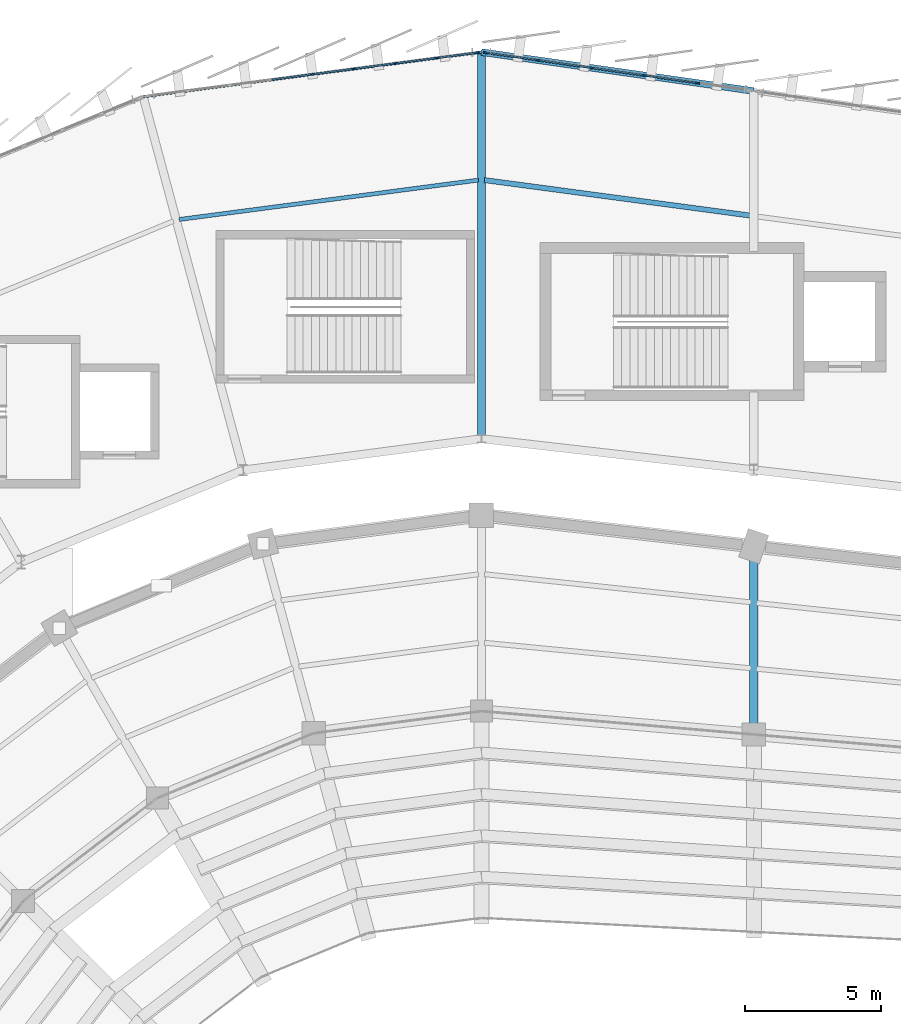
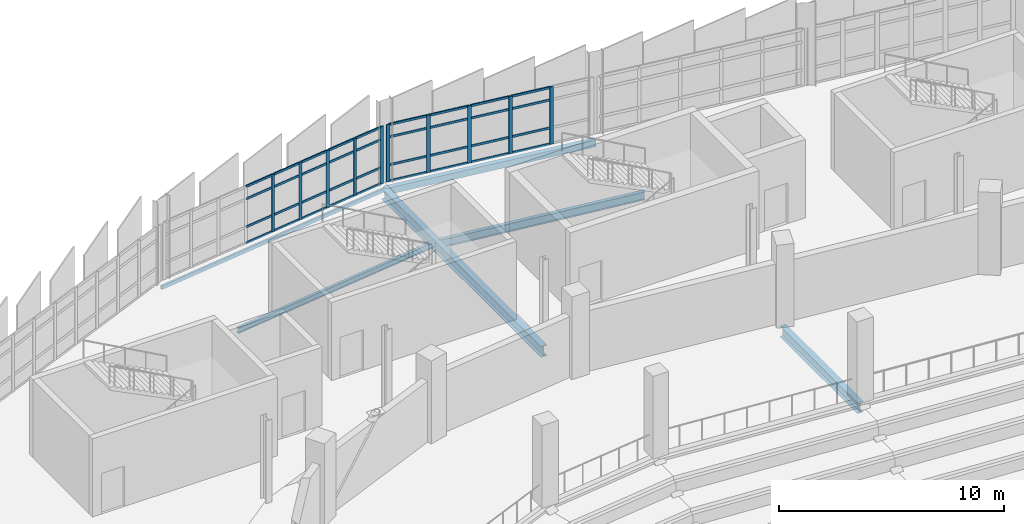
# One storey, part 57 of 134: 46 members, 6 beams, 2 elements without a shape of their own.
"""IFC4 building model written with IfcOpenShell, lengths in metres."""

from ifc_helpers import new_model, si_unit, direction, frame, origin, origin_2d, place, context, subcontext, project, spatial, rectangle, hollow_rectangle, i_section, extrude, material, layer, layer_set, material_profile, profile_set, type_object, element, aggregate, save


model = new_model("IFC4")

# Units and contexts
model_context = context("Model", 3, precision=1e-05, world=origin(), true_north=direction((0.0, 1.0)))
body_context = subcontext(model_context, "Body", "Model", "MODEL_VIEW")
ifc_project = project(units=[si_unit("LENGTHUNIT", "METRE"), si_unit("AREAUNIT", "SQUARE_METRE"), si_unit("VOLUMEUNIT", "CUBIC_METRE"), si_unit("PLANEANGLEUNIT", "RADIAN"), si_unit("MASSUNIT", "GRAM", prefix="KILO")], contexts=[model_context])

# Site, building, storey
site_placement = place(None, origin())
site = spatial("IfcSite", under=ifc_project, at=site_placement, CompositionType="ELEMENT")
building_placement = place(site_placement, origin())
building = spatial("IfcBuilding", under=site, at=building_placement, Name="Sohan Crest Arena", CompositionType="ELEMENT")
storey_placement = place(building_placement, frame((0.0, 0.0, 4.5)))
storey = spatial("IfcBuildingStorey", under=building, at=storey_placement, Name="L01", CompositionType="ELEMENT", Elevation=4.5)

# Curtain wall, members
ifc_material_1 = material(Name="Thermally broken anodised aluminium", Category="aluminium")
ifc_layer_1 = layer(ifc_material_1, 0.179931640625, Name="Thermally broken anodised aluminium")
ifc_layer_set_1 = layer_set([ifc_layer_1], Name="Thermally broken anodised aluminium")
curtain_wall_type_1 = type_object("IfcCurtainWallType", Name="ARC-CW01", PredefinedType="NOTDEFINED", material=ifc_layer_set_1)
curtain_wall_1_placement = place(storey_placement, origin())
curtain_wall_1 = element("IfcCurtainWall", 1, at=curtain_wall_1_placement, inside=storey, type_object=curtain_wall_type_1, Name="Unitised curtain wall CW-020", PredefinedType="NOTDEFINED")
ifc_material_profile_1 = material_profile(ifc_material_1, rectangle(XDim=0.06005859375, YDim=0.159912109375, at=origin_2d()), Name="ALU-MULL 60x160")
ifc_profile_set_1 = profile_set([ifc_material_profile_1], Name="Thermally broken anodised aluminium")
member_type_1 = type_object("IfcMemberType", Name="ARC-CW-ML01", PredefinedType="MULLION", material=ifc_profile_set_1)
member_1_placement = place(storey_placement, frame((97.84130859375, 125.97900390625, 0.0), z_axis=(0.0, 0.0, 1.0), x_axis=(0.130562031094, -0.991440142438, 0.0)))
member_1 = element("IfcMember", 2, at=member_1_placement, type_object=member_type_1, Name="CW-020 mullion 1", PredefinedType="MULLION", context=body_context, shape_type="SweptSolid", body=[
    extrude(rectangle(XDim=0.06005859375, YDim=0.159912109375, at=origin_2d()), origin(), (0.0, 0.0, 1.0), 3.1201171875),
])
member_2_placement = place(storey_placement, frame((96.350341796875, 125.78271484375, 0.0), z_axis=(0.0, 0.0, 1.0), x_axis=(0.130562031094, -0.991440142438, 0.0)))
member_2 = element("IfcMember", 3, at=member_2_placement, type_object=member_type_1, Name="CW-020 mullion 2", PredefinedType="MULLION", context=body_context, shape_type="SweptSolid", body=[
    extrude(rectangle(XDim=0.06005859375, YDim=0.159912109375, at=origin_2d()), origin(), (0.0, 0.0, 1.0), 3.1201171875),
])
member_3_placement = place(storey_placement, frame((94.829833984375, 125.58251953125, 0.0), z_axis=(0.0, 0.0, 1.0), x_axis=(0.130562031094, -0.991440142438, 0.0)))
member_3 = element("IfcMember", 4, at=member_3_placement, type_object=member_type_1, Name="CW-020 mullion 3", PredefinedType="MULLION", context=body_context, shape_type="SweptSolid", body=[
    extrude(rectangle(XDim=0.06005859375, YDim=0.159912109375, at=origin_2d()), origin(), (0.0, 0.0, 1.0), 3.1201171875),
])
member_4_placement = place(storey_placement, frame((93.30908203125, 125.38232421875, 0.0), z_axis=(0.0, 0.0, 1.0), x_axis=(0.130562031094, -0.991440142438, 0.0)))
member_4 = element("IfcMember", 5, at=member_4_placement, type_object=member_type_1, Name="CW-020 mullion 4", PredefinedType="MULLION", context=body_context, shape_type="SweptSolid", body=[
    extrude(rectangle(XDim=0.06005859375, YDim=0.159912109375, at=origin_2d()), origin(), (0.0, 0.0, 1.0), 3.1201171875),
])
member_5_placement = place(storey_placement, frame((91.78857421875, 125.181884765625, 0.0), z_axis=(0.0, 0.0, 1.0), x_axis=(0.130562031094, -0.991440142438, 0.0)))
member_5 = element("IfcMember", 6, at=member_5_placement, type_object=member_type_1, Name="CW-020 mullion 5", PredefinedType="MULLION", context=body_context, shape_type="SweptSolid", body=[
    extrude(rectangle(XDim=0.06005859375, YDim=0.159912109375, at=origin_2d()), origin(), (0.0, 0.0, 1.0), 3.1201171875),
])

ifc_layer_2 = layer(ifc_material_1, 0.239990234375, Name="Thermally broken anodised aluminium")
ifc_layer_set_2 = layer_set([ifc_layer_2], Name="Thermally broken anodised aluminium")
curtain_wall_type_2 = type_object("IfcCurtainWallType", Name="ARC-CW04", PredefinedType="NOTDEFINED", material=ifc_layer_set_2)
curtain_wall_2_placement = place(storey_placement, origin())
curtain_wall_2 = element("IfcCurtainWall", 7, at=curtain_wall_2_placement, inside=storey, type_object=curtain_wall_type_2, Name="Unitised curtain wall CW-049", PredefinedType="NOTDEFINED")
ifc_material_profile_2 = material_profile(ifc_material_1, rectangle(XDim=0.06494140625, YDim=0.179931640625, at=origin_2d()), Name="ALU-MULL 65x180")
ifc_profile_set_2 = profile_set([ifc_material_profile_2], Name="Thermally broken anodised aluminium")
member_type_2 = type_object("IfcMemberType", Name="ARC-CW-ML02", PredefinedType="MULLION", material=ifc_profile_set_2)
member_6_placement = place(storey_placement, frame((105.922607421875, 124.86767578125, 0.0), z_axis=(0.0, 0.0, 1.0), x_axis=(-0.141549389674, -0.989931194722, 0.0)))
member_6 = element("IfcMember", 8, at=member_6_placement, type_object=member_type_2, Name="CW-049 mullion 2", PredefinedType="MULLION", context=body_context, shape_type="SweptSolid", body=[
    extrude(rectangle(XDim=0.06494140625, YDim=0.179931640625, at=origin_2d()), origin(), (0.0, 0.0, 1.0), 3.1201171875),
])
member_7_placement = place(storey_placement, frame((103.97412109375, 125.146240234375, 0.0), z_axis=(0.0, 0.0, 1.0), x_axis=(-0.141549389674, -0.989931194722, 0.0)))
member_7 = element("IfcMember", 9, at=member_7_placement, type_object=member_type_2, Name="CW-049 mullion 3", PredefinedType="MULLION", context=body_context, shape_type="SweptSolid", body=[
    extrude(rectangle(XDim=0.06494140625, YDim=0.179931640625, at=origin_2d()), origin(), (0.0, 0.0, 1.0), 3.1201171875),
])
member_8_placement = place(storey_placement, frame((102.02587890625, 125.4248046875, 0.0), z_axis=(0.0, 0.0, 1.0), x_axis=(-0.141549389674, -0.989931194722, 0.0)))
member_8 = element("IfcMember", 10, at=member_8_placement, type_object=member_type_2, Name="CW-049 mullion 4", PredefinedType="MULLION", context=body_context, shape_type="SweptSolid", body=[
    extrude(rectangle(XDim=0.06494140625, YDim=0.179931640625, at=origin_2d()), origin(), (0.0, 0.0, 1.0), 3.1201171875),
])
member_9_placement = place(storey_placement, frame((100.077392578125, 125.703369140625, 0.0), z_axis=(0.0, 0.0, 1.0), x_axis=(-0.141549389674, -0.989931194722, 0.0)))
member_9 = element("IfcMember", 11, at=member_9_placement, type_object=member_type_2, Name="CW-049 mullion 5", PredefinedType="MULLION", context=body_context, shape_type="SweptSolid", body=[
    extrude(rectangle(XDim=0.06494140625, YDim=0.179931640625, at=origin_2d()), origin(), (0.0, 0.0, 1.0), 3.1201171875),
])
member_10_placement = place(storey_placement, frame((98.1611328125, 125.977294921875, 0.0), z_axis=(0.0, 0.0, 1.0), x_axis=(-0.141549389674, -0.989931194722, 0.0)))
member_10 = element("IfcMember", 12, at=member_10_placement, type_object=member_type_2, Name="CW-049 mullion 6", PredefinedType="MULLION", context=body_context, shape_type="SweptSolid", body=[
    extrude(rectangle(XDim=0.06494140625, YDim=0.179931640625, at=origin_2d()), origin(), (0.0, 0.0, 1.0), 3.1201171875),
])

# Member
ifc_material_profile_3 = material_profile(ifc_material_1, rectangle(XDim=0.06005859375, YDim=0.1201171875, at=origin_2d()), Name="ALU-TRAN 60x120")
ifc_profile_set_3 = profile_set([ifc_material_profile_3], Name="Thermally broken anodised aluminium")
member_type_3 = type_object("IfcMemberType", Name="ARC-CW-TR01", PredefinedType="USERDEFINED", material=ifc_profile_set_3)
member_11_placement = place(storey_placement, frame((97.8115234375, 125.97509765625, 0.030029296875), z_axis=(-0.991442204385, -0.130546372469, 0.0), x_axis=(0.130546372469, -0.991442204385, 0.0)))
member_11 = element("IfcMember", 13, at=member_11_placement, type_object=member_type_3, Name="CW-020 transom 1.1", ObjectType="TRANSOM", PredefinedType="USERDEFINED", context=body_context, shape_type="SweptSolid", body=[
    extrude(rectangle(XDim=0.06005859375, YDim=0.1201171875, at=origin_2d()), origin(), (0.0, 0.0, 1.0), 1.44384765625),
])

member_12_placement = place(storey_placement, frame((97.8115234375, 125.97509765625, 0.89990234375), z_axis=(-0.991442204385, -0.130546372469, 0.0), x_axis=(0.130546372469, -0.991442204385, 0.0)))
member_12 = element("IfcMember", 14, at=member_12_placement, type_object=member_type_3, Name="CW-020 transom 1.2", ObjectType="TRANSOM", PredefinedType="USERDEFINED", context=body_context, shape_type="SweptSolid", body=[
    extrude(rectangle(XDim=0.06005859375, YDim=0.1201171875, at=origin_2d()), origin(), (0.0, 0.0, 1.0), 1.44384765625),
])

member_13_placement = place(storey_placement, frame((97.8115234375, 125.97509765625, 2.419921875), z_axis=(-0.991442204385, -0.130546372469, 0.0), x_axis=(0.130546372469, -0.991442204385, 0.0)))
member_13 = element("IfcMember", 15, at=member_13_placement, type_object=member_type_3, Name="CW-020 transom 1.3", ObjectType="TRANSOM", PredefinedType="USERDEFINED", context=body_context, shape_type="SweptSolid", body=[
    extrude(rectangle(XDim=0.06005859375, YDim=0.1201171875, at=origin_2d()), origin(), (0.0, 0.0, 1.0), 1.44384765625),
])

member_14_placement = place(storey_placement, frame((97.8115234375, 125.97509765625, 3.090087890625), z_axis=(-0.991442204385, -0.130546372469, 0.0), x_axis=(0.130546372469, -0.991442204385, 0.0)))
member_14 = element("IfcMember", 16, at=member_14_placement, type_object=member_type_3, Name="CW-020 transom 1.4", ObjectType="TRANSOM", PredefinedType="USERDEFINED", context=body_context, shape_type="SweptSolid", body=[
    extrude(rectangle(XDim=0.06005859375, YDim=0.1201171875, at=origin_2d()), origin(), (0.0, 0.0, 1.0), 1.44384765625),
])

member_15_placement = place(storey_placement, frame((96.320556640625, 125.77880859375, 0.030029296875), z_axis=(-0.991443579334, -0.130535929911, 0.0), x_axis=(0.130535929911, -0.991443579334, 0.0)))
member_15 = element("IfcMember", 17, at=member_15_placement, type_object=member_type_3, Name="CW-020 transom 2.1", ObjectType="TRANSOM", PredefinedType="USERDEFINED", context=body_context, shape_type="SweptSolid", body=[
    extrude(rectangle(XDim=0.06005859375, YDim=0.1201171875, at=origin_2d()), origin(), (0.0, 0.0, 1.0), 1.473876953125),
])

member_16_placement = place(storey_placement, frame((96.320556640625, 125.77880859375, 0.89990234375), z_axis=(-0.991443579334, -0.130535929911, 0.0), x_axis=(0.130535929911, -0.991443579334, 0.0)))
member_16 = element("IfcMember", 18, at=member_16_placement, type_object=member_type_3, Name="CW-020 transom 2.2", ObjectType="TRANSOM", PredefinedType="USERDEFINED", context=body_context, shape_type="SweptSolid", body=[
    extrude(rectangle(XDim=0.06005859375, YDim=0.1201171875, at=origin_2d()), origin(), (0.0, 0.0, 1.0), 1.473876953125),
])

member_17_placement = place(storey_placement, frame((96.320556640625, 125.77880859375, 2.419921875), z_axis=(-0.991443579334, -0.130535929911, 0.0), x_axis=(0.130535929911, -0.991443579334, 0.0)))
member_17 = element("IfcMember", 19, at=member_17_placement, type_object=member_type_3, Name="CW-020 transom 2.3", ObjectType="TRANSOM", PredefinedType="USERDEFINED", context=body_context, shape_type="SweptSolid", body=[
    extrude(rectangle(XDim=0.06005859375, YDim=0.1201171875, at=origin_2d()), origin(), (0.0, 0.0, 1.0), 1.473876953125),
])

member_18_placement = place(storey_placement, frame((96.320556640625, 125.77880859375, 3.090087890625), z_axis=(-0.991443579334, -0.130535929911, 0.0), x_axis=(0.130535929911, -0.991443579334, 0.0)))
member_18 = element("IfcMember", 20, at=member_18_placement, type_object=member_type_3, Name="CW-020 transom 2.4", ObjectType="TRANSOM", PredefinedType="USERDEFINED", context=body_context, shape_type="SweptSolid", body=[
    extrude(rectangle(XDim=0.06005859375, YDim=0.1201171875, at=origin_2d()), origin(), (0.0, 0.0, 1.0), 1.473876953125),
])

member_19_placement = place(storey_placement, frame((94.800048828125, 125.57861328125, 0.030029296875), z_axis=(-0.991443579334, -0.130535929911, 0.0), x_axis=(0.130535929911, -0.991443579334, 0.0)))
member_19 = element("IfcMember", 21, at=member_19_placement, type_object=member_type_3, Name="CW-020 transom 3.1", ObjectType="TRANSOM", PredefinedType="USERDEFINED", context=body_context, shape_type="SweptSolid", body=[
    extrude(rectangle(XDim=0.06005859375, YDim=0.1201171875, at=origin_2d()), origin(), (0.0, 0.0, 1.0), 1.473876953125),
])

member_20_placement = place(storey_placement, frame((94.800048828125, 125.57861328125, 0.89990234375), z_axis=(-0.991443579334, -0.130535929911, 0.0), x_axis=(0.130535929911, -0.991443579334, 0.0)))
member_20 = element("IfcMember", 22, at=member_20_placement, type_object=member_type_3, Name="CW-020 transom 3.2", ObjectType="TRANSOM", PredefinedType="USERDEFINED", context=body_context, shape_type="SweptSolid", body=[
    extrude(rectangle(XDim=0.06005859375, YDim=0.1201171875, at=origin_2d()), origin(), (0.0, 0.0, 1.0), 1.473876953125),
])

member_21_placement = place(storey_placement, frame((94.800048828125, 125.57861328125, 2.419921875), z_axis=(-0.991443579334, -0.130535929911, 0.0), x_axis=(0.130535929911, -0.991443579334, 0.0)))
member_21 = element("IfcMember", 23, at=member_21_placement, type_object=member_type_3, Name="CW-020 transom 3.3", ObjectType="TRANSOM", PredefinedType="USERDEFINED", context=body_context, shape_type="SweptSolid", body=[
    extrude(rectangle(XDim=0.06005859375, YDim=0.1201171875, at=origin_2d()), origin(), (0.0, 0.0, 1.0), 1.473876953125),
])

member_22_placement = place(storey_placement, frame((94.800048828125, 125.57861328125, 3.090087890625), z_axis=(-0.991443579334, -0.130535929911, 0.0), x_axis=(0.130535929911, -0.991443579334, 0.0)))
member_22 = element("IfcMember", 24, at=member_22_placement, type_object=member_type_3, Name="CW-020 transom 3.4", ObjectType="TRANSOM", PredefinedType="USERDEFINED", context=body_context, shape_type="SweptSolid", body=[
    extrude(rectangle(XDim=0.06005859375, YDim=0.1201171875, at=origin_2d()), origin(), (0.0, 0.0, 1.0), 1.473876953125),
])

member_23_placement = place(storey_placement, frame((93.279296875, 125.37841796875, 0.030029296875), z_axis=(-0.991440755943, -0.130557372273, 0.0), x_axis=(0.130557372273, -0.991440755943, 0.0)))
member_23 = element("IfcMember", 25, at=member_23_placement, type_object=member_type_3, Name="CW-020 transom 4.1", ObjectType="TRANSOM", PredefinedType="USERDEFINED", context=body_context, shape_type="SweptSolid", body=[
    extrude(rectangle(XDim=0.06005859375, YDim=0.1201171875, at=origin_2d()), origin(), (0.0, 0.0, 1.0), 1.4736328125),
])

member_24_placement = place(storey_placement, frame((93.279296875, 125.37841796875, 0.89990234375), z_axis=(-0.991440755943, -0.130557372273, 0.0), x_axis=(0.130557372273, -0.991440755943, 0.0)))
member_24 = element("IfcMember", 26, at=member_24_placement, type_object=member_type_3, Name="CW-020 transom 4.2", ObjectType="TRANSOM", PredefinedType="USERDEFINED", context=body_context, shape_type="SweptSolid", body=[
    extrude(rectangle(XDim=0.06005859375, YDim=0.1201171875, at=origin_2d()), origin(), (0.0, 0.0, 1.0), 1.4736328125),
])

member_25_placement = place(storey_placement, frame((93.279296875, 125.37841796875, 2.419921875), z_axis=(-0.991440755943, -0.130557372273, 0.0), x_axis=(0.130557372273, -0.991440755943, 0.0)))
member_25 = element("IfcMember", 27, at=member_25_placement, type_object=member_type_3, Name="CW-020 transom 4.3", ObjectType="TRANSOM", PredefinedType="USERDEFINED", context=body_context, shape_type="SweptSolid", body=[
    extrude(rectangle(XDim=0.06005859375, YDim=0.1201171875, at=origin_2d()), origin(), (0.0, 0.0, 1.0), 1.4736328125),
])

member_26_placement = place(storey_placement, frame((93.279296875, 125.37841796875, 3.090087890625), z_axis=(-0.991440755943, -0.130557372273, 0.0), x_axis=(0.130557372273, -0.991440755943, 0.0)))
member_26 = element("IfcMember", 28, at=member_26_placement, type_object=member_type_3, Name="CW-020 transom 4.4", ObjectType="TRANSOM", PredefinedType="USERDEFINED", context=body_context, shape_type="SweptSolid", body=[
    extrude(rectangle(XDim=0.06005859375, YDim=0.1201171875, at=origin_2d()), origin(), (0.0, 0.0, 1.0), 1.4736328125),
])

member_27_placement = place(storey_placement, frame((91.7587890625, 125.177978515625, 0.030029296875), z_axis=(-0.991443579334, -0.130535929911, 0.0), x_axis=(0.130535929911, -0.991443579334, 0.0)))
member_27 = element("IfcMember", 29, at=member_27_placement, type_object=member_type_3, Name="CW-020 transom 5.1", ObjectType="TRANSOM", PredefinedType="USERDEFINED", context=body_context, shape_type="SweptSolid", body=[
    extrude(rectangle(XDim=0.06005859375, YDim=0.1201171875, at=origin_2d()), origin(), (0.0, 0.0, 1.0), 1.473876953125),
])

member_28_placement = place(storey_placement, frame((91.7587890625, 125.177978515625, 0.89990234375), z_axis=(-0.991443579334, -0.130535929911, 0.0), x_axis=(0.130535929911, -0.991443579334, 0.0)))
member_28 = element("IfcMember", 30, at=member_28_placement, type_object=member_type_3, Name="CW-020 transom 5.2", ObjectType="TRANSOM", PredefinedType="USERDEFINED", context=body_context, shape_type="SweptSolid", body=[
    extrude(rectangle(XDim=0.06005859375, YDim=0.1201171875, at=origin_2d()), origin(), (0.0, 0.0, 1.0), 1.473876953125),
])

member_29_placement = place(storey_placement, frame((91.7587890625, 125.177978515625, 2.419921875), z_axis=(-0.991443579334, -0.130535929911, 0.0), x_axis=(0.130535929911, -0.991443579334, 0.0)))
member_29 = element("IfcMember", 31, at=member_29_placement, type_object=member_type_3, Name="CW-020 transom 5.3", ObjectType="TRANSOM", PredefinedType="USERDEFINED", context=body_context, shape_type="SweptSolid", body=[
    extrude(rectangle(XDim=0.06005859375, YDim=0.1201171875, at=origin_2d()), origin(), (0.0, 0.0, 1.0), 1.473876953125),
])

member_30_placement = place(storey_placement, frame((91.7587890625, 125.177978515625, 3.090087890625), z_axis=(-0.991443579334, -0.130535929911, 0.0), x_axis=(0.130535929911, -0.991443579334, 0.0)))
member_30 = element("IfcMember", 32, at=member_30_placement, type_object=member_type_3, Name="CW-020 transom 5.4", ObjectType="TRANSOM", PredefinedType="USERDEFINED", context=body_context, shape_type="SweptSolid", body=[
    extrude(rectangle(XDim=0.06005859375, YDim=0.1201171875, at=origin_2d()), origin(), (0.0, 0.0, 1.0), 1.473876953125),
])

aggregate(curtain_wall_1, [member_1, member_2, member_3, member_4, member_5, member_11, member_12, member_13, member_14, member_15, member_16, member_17, member_18, member_19, member_20, member_21, member_22, member_23, member_24, member_25, member_26, member_27, member_28, member_29, member_30])

member_31_placement = place(storey_placement, frame((105.890380859375, 124.872314453125, 0.030029296875), z_axis=(-0.989939228629, 0.141493192844, 0.0), x_axis=(-0.141493192844, -0.989939228629, 0.0)))
member_31 = element("IfcMember", 33, at=member_31_placement, type_object=member_type_3, Name="CW-049 transom 2.1", ObjectType="TRANSOM", PredefinedType="USERDEFINED", context=body_context, shape_type="SweptSolid", body=[
    extrude(rectangle(XDim=0.06005859375, YDim=0.1201171875, at=origin_2d()), origin(), (0.0, 0.0, 1.0), 1.903076171875),
])

member_32_placement = place(storey_placement, frame((105.890380859375, 124.872314453125, 0.89990234375), z_axis=(-0.989939228629, 0.141493192844, 0.0), x_axis=(-0.141493192844, -0.989939228629, 0.0)))
member_32 = element("IfcMember", 34, at=member_32_placement, type_object=member_type_3, Name="CW-049 transom 2.2", ObjectType="TRANSOM", PredefinedType="USERDEFINED", context=body_context, shape_type="SweptSolid", body=[
    extrude(rectangle(XDim=0.06005859375, YDim=0.1201171875, at=origin_2d()), origin(), (0.0, 0.0, 1.0), 1.903076171875),
])

member_33_placement = place(storey_placement, frame((105.890380859375, 124.872314453125, 2.419921875), z_axis=(-0.989939228629, 0.141493192844, 0.0), x_axis=(-0.141493192844, -0.989939228629, 0.0)))
member_33 = element("IfcMember", 35, at=member_33_placement, type_object=member_type_3, Name="CW-049 transom 2.3", ObjectType="TRANSOM", PredefinedType="USERDEFINED", context=body_context, shape_type="SweptSolid", body=[
    extrude(rectangle(XDim=0.06005859375, YDim=0.1201171875, at=origin_2d()), origin(), (0.0, 0.0, 1.0), 1.903076171875),
])

member_34_placement = place(storey_placement, frame((105.890380859375, 124.872314453125, 3.090087890625), z_axis=(-0.989939228629, 0.141493192844, 0.0), x_axis=(-0.141493192844, -0.989939228629, 0.0)))
member_34 = element("IfcMember", 36, at=member_34_placement, type_object=member_type_3, Name="CW-049 transom 2.4", ObjectType="TRANSOM", PredefinedType="USERDEFINED", context=body_context, shape_type="SweptSolid", body=[
    extrude(rectangle(XDim=0.06005859375, YDim=0.1201171875, at=origin_2d()), origin(), (0.0, 0.0, 1.0), 1.903076171875),
])

member_35_placement = place(storey_placement, frame((103.942138671875, 125.15087890625, 0.030029296875), z_axis=(-0.989941796353, 0.141475226921, 0.0), x_axis=(-0.141475226921, -0.989941796353, 0.0)))
member_35 = element("IfcMember", 37, at=member_35_placement, type_object=member_type_3, Name="CW-049 transom 3.1", ObjectType="TRANSOM", PredefinedType="USERDEFINED", context=body_context, shape_type="SweptSolid", body=[
    extrude(rectangle(XDim=0.06005859375, YDim=0.1201171875, at=origin_2d()), origin(), (0.0, 0.0, 1.0), 1.9033203125),
])

member_36_placement = place(storey_placement, frame((103.942138671875, 125.15087890625, 0.89990234375), z_axis=(-0.989941796353, 0.141475226921, 0.0), x_axis=(-0.141475226921, -0.989941796353, 0.0)))
member_36 = element("IfcMember", 38, at=member_36_placement, type_object=member_type_3, Name="CW-049 transom 3.2", ObjectType="TRANSOM", PredefinedType="USERDEFINED", context=body_context, shape_type="SweptSolid", body=[
    extrude(rectangle(XDim=0.06005859375, YDim=0.1201171875, at=origin_2d()), origin(), (0.0, 0.0, 1.0), 1.9033203125),
])

member_37_placement = place(storey_placement, frame((103.942138671875, 125.15087890625, 2.419921875), z_axis=(-0.989941796353, 0.141475226921, 0.0), x_axis=(-0.141475226921, -0.989941796353, 0.0)))
member_37 = element("IfcMember", 39, at=member_37_placement, type_object=member_type_3, Name="CW-049 transom 3.3", ObjectType="TRANSOM", PredefinedType="USERDEFINED", context=body_context, shape_type="SweptSolid", body=[
    extrude(rectangle(XDim=0.06005859375, YDim=0.1201171875, at=origin_2d()), origin(), (0.0, 0.0, 1.0), 1.9033203125),
])

member_38_placement = place(storey_placement, frame((103.942138671875, 125.15087890625, 3.090087890625), z_axis=(-0.989941796353, 0.141475226921, 0.0), x_axis=(-0.141475226921, -0.989941796353, 0.0)))
member_38 = element("IfcMember", 40, at=member_38_placement, type_object=member_type_3, Name="CW-049 transom 3.4", ObjectType="TRANSOM", PredefinedType="USERDEFINED", context=body_context, shape_type="SweptSolid", body=[
    extrude(rectangle(XDim=0.06005859375, YDim=0.1201171875, at=origin_2d()), origin(), (0.0, 0.0, 1.0), 1.9033203125),
])

member_39_placement = place(storey_placement, frame((101.99365234375, 125.429443359375, 0.030029296875), z_axis=(-0.989939228629, 0.141493192844, 0.0), x_axis=(-0.141493192844, -0.989939228629, 0.0)))
member_39 = element("IfcMember", 41, at=member_39_placement, type_object=member_type_3, Name="CW-049 transom 4.1", ObjectType="TRANSOM", PredefinedType="USERDEFINED", context=body_context, shape_type="SweptSolid", body=[
    extrude(rectangle(XDim=0.06005859375, YDim=0.1201171875, at=origin_2d()), origin(), (0.0, 0.0, 1.0), 1.903076171875),
])

member_40_placement = place(storey_placement, frame((101.99365234375, 125.429443359375, 0.89990234375), z_axis=(-0.989939228629, 0.141493192844, 0.0), x_axis=(-0.141493192844, -0.989939228629, 0.0)))
member_40 = element("IfcMember", 42, at=member_40_placement, type_object=member_type_3, Name="CW-049 transom 4.2", ObjectType="TRANSOM", PredefinedType="USERDEFINED", context=body_context, shape_type="SweptSolid", body=[
    extrude(rectangle(XDim=0.06005859375, YDim=0.1201171875, at=origin_2d()), origin(), (0.0, 0.0, 1.0), 1.903076171875),
])

member_41_placement = place(storey_placement, frame((101.99365234375, 125.429443359375, 2.419921875), z_axis=(-0.989939228629, 0.141493192844, 0.0), x_axis=(-0.141493192844, -0.989939228629, 0.0)))
member_41 = element("IfcMember", 43, at=member_41_placement, type_object=member_type_3, Name="CW-049 transom 4.3", ObjectType="TRANSOM", PredefinedType="USERDEFINED", context=body_context, shape_type="SweptSolid", body=[
    extrude(rectangle(XDim=0.06005859375, YDim=0.1201171875, at=origin_2d()), origin(), (0.0, 0.0, 1.0), 1.903076171875),
])

member_42_placement = place(storey_placement, frame((101.99365234375, 125.429443359375, 3.090087890625), z_axis=(-0.989939228629, 0.141493192844, 0.0), x_axis=(-0.141493192844, -0.989939228629, 0.0)))
member_42 = element("IfcMember", 44, at=member_42_placement, type_object=member_type_3, Name="CW-049 transom 4.4", ObjectType="TRANSOM", PredefinedType="USERDEFINED", context=body_context, shape_type="SweptSolid", body=[
    extrude(rectangle(XDim=0.06005859375, YDim=0.1201171875, at=origin_2d()), origin(), (0.0, 0.0, 1.0), 1.903076171875),
])

member_43_placement = place(storey_placement, frame((100.045166015625, 125.7080078125, 0.030029296875), z_axis=(-0.989923374667, 0.141604068756, 0.0), x_axis=(-0.141604068756, -0.989923374667, 0.0)))
member_43 = element("IfcMember", 45, at=member_43_placement, type_object=member_type_3, Name="CW-049 transom 5.1", ObjectType="TRANSOM", PredefinedType="USERDEFINED", context=body_context, shape_type="SweptSolid", body=[
    extrude(rectangle(XDim=0.06005859375, YDim=0.1201171875, at=origin_2d()), origin(), (0.0, 0.0, 1.0), 1.87060546875),
])

member_44_placement = place(storey_placement, frame((100.045166015625, 125.7080078125, 0.89990234375), z_axis=(-0.989923374667, 0.141604068756, 0.0), x_axis=(-0.141604068756, -0.989923374667, 0.0)))
member_44 = element("IfcMember", 46, at=member_44_placement, type_object=member_type_3, Name="CW-049 transom 5.2", ObjectType="TRANSOM", PredefinedType="USERDEFINED", context=body_context, shape_type="SweptSolid", body=[
    extrude(rectangle(XDim=0.06005859375, YDim=0.1201171875, at=origin_2d()), origin(), (0.0, 0.0, 1.0), 1.87060546875),
])

member_45_placement = place(storey_placement, frame((100.045166015625, 125.7080078125, 2.419921875), z_axis=(-0.989923374667, 0.141604068756, 0.0), x_axis=(-0.141604068756, -0.989923374667, 0.0)))
member_45 = element("IfcMember", 47, at=member_45_placement, type_object=member_type_3, Name="CW-049 transom 5.3", ObjectType="TRANSOM", PredefinedType="USERDEFINED", context=body_context, shape_type="SweptSolid", body=[
    extrude(rectangle(XDim=0.06005859375, YDim=0.1201171875, at=origin_2d()), origin(), (0.0, 0.0, 1.0), 1.87060546875),
])

member_46_placement = place(storey_placement, frame((100.045166015625, 125.7080078125, 3.090087890625), z_axis=(-0.989923374667, 0.141604068756, 0.0), x_axis=(-0.141604068756, -0.989923374667, 0.0)))
member_46 = element("IfcMember", 48, at=member_46_placement, type_object=member_type_3, Name="CW-049 transom 5.4", ObjectType="TRANSOM", PredefinedType="USERDEFINED", context=body_context, shape_type="SweptSolid", body=[
    extrude(rectangle(XDim=0.06005859375, YDim=0.1201171875, at=origin_2d()), origin(), (0.0, 0.0, 1.0), 1.87060546875),
])

aggregate(curtain_wall_2, [member_6, member_7, member_8, member_9, member_10, member_31, member_32, member_33, member_34, member_35, member_36, member_37, member_38, member_39, member_40, member_41, member_42, member_43, member_44, member_45, member_46])

# Beams
ifc_material_2 = material(Name="Steel S355", Category="steel")
ifc_material_profile_4 = material_profile(ifc_material_2, i_section(OverallWidth=0.14990234375, OverallDepth=0.300048828125, WebThickness=0.007080078125, FlangeThickness=0.0107421875, at=origin_2d()), Name="IPE 300")
ifc_profile_set_4 = profile_set([ifc_material_profile_4], Name="Steel S355")
beam_type_1 = type_object("IfcBeamType", Name="STR-BM-B01", PredefinedType="JOIST", material=ifc_profile_set_4)
beam_1_placement = place(storey_placement, frame((97.89111328125, 121.300048828125, -0.425048828125), z_axis=(-0.991434947697, -0.130601471988, 0.0), x_axis=(0.130601471988, -0.991434947697, 0.0)))
element("IfcBeam", 49, at=beam_1_placement, inside=storey, type_object=beam_type_1, Name="Structural beam J-L01-1094", PredefinedType="JOIST", context=body_context, shape_type="SweptSolid", body=[
    extrude(i_section(OverallWidth=0.14990234375, OverallDepth=0.300048828125, WebThickness=0.007080078125, FlangeThickness=0.0107421875, at=origin_2d()), origin(), (0.0, 0.0, 1.0), 11.087158203125),
])
ifc_material_profile_5 = material_profile(ifc_material_2, i_section(OverallWidth=0.18994140625, OverallDepth=0.449951171875, WebThickness=0.009521484375, FlangeThickness=0.0146484375, at=origin_2d()), Name="IPE 450")
ifc_profile_set_5 = profile_set([ifc_material_profile_5], Name="Steel S355")
beam_type_2 = type_object("IfcBeamType", Name="STR-BM-B04", PredefinedType="JOIST", material=ifc_profile_set_5)
beam_2_placement = place(storey_placement, frame((107.89111328125, 119.993896484375, -0.5), z_axis=(-0.991216229825, 0.132251222039, 0.0), x_axis=(-0.132251222039, -0.991216229825, 0.0)))
element("IfcBeam", 50, at=beam_2_placement, inside=storey, type_object=beam_type_2, Name="Structural beam J-L01-1244", PredefinedType="JOIST", context=body_context, shape_type="SweptSolid", body=[
    extrude(i_section(OverallWidth=0.18994140625, OverallDepth=0.449951171875, WebThickness=0.009521484375, FlangeThickness=0.0146484375, at=origin_2d()), origin(), (0.0, 0.0, 1.0), 9.868896484375),
])
ifc_material_profile_6 = material_profile(ifc_material_2, i_section(OverallWidth=0.300048828125, OverallDepth=0.590087890625, WebThickness=0.012939453125, FlangeThickness=0.02490234375, at=origin_2d()), Name="HEA 600")
ifc_profile_set_6 = profile_set([ifc_material_profile_6], Name="Steel S355")
beam_type_3 = type_object("IfcBeamType", Name="STR-BM-B11", PredefinedType="BEAM", material=ifc_profile_set_6)
beam_3_placement = place(storey_placement, frame((108.0, 100.943115234375, -0.544921875), z_axis=(0.0, 1.0, 0.0), x_axis=(-1.0, 0.0, 0.0)))
element("IfcBeam", 51, at=beam_3_placement, inside=storey, type_object=beam_type_3, Name="Structural beam G-L01-0798", PredefinedType="BEAM", context=body_context, shape_type="SweptSolid", body=[
    extrude(i_section(OverallWidth=0.300048828125, OverallDepth=0.590087890625, WebThickness=0.012939453125, FlangeThickness=0.02490234375, at=origin_2d()), origin(), (0.0, 0.0, 1.0), 6.913818359375),
])
beam_4_placement = place(storey_placement, frame((98.0, 111.800048828125, -0.570068359375), z_axis=(0.0, 1.0, 0.0), x_axis=(-1.0, 0.0, 0.0)))
element("IfcBeam", 52, at=beam_4_placement, inside=storey, type_object=beam_type_3, Name="Structural beam G-L01-1091", PredefinedType="BEAM", context=body_context, shape_type="SweptSolid", body=[
    extrude(i_section(OverallWidth=0.300048828125, OverallDepth=0.590087890625, WebThickness=0.012939453125, FlangeThickness=0.02490234375, at=origin_2d()), origin(), (0.0, 0.0, 1.0), 14.199951171875),
])
ifc_material_profile_7 = material_profile(ifc_material_2, hollow_rectangle(XDim=0.10009765625, YDim=0.199951171875, WallThickness=0.008056640625, at=origin_2d()), Name="RHS 200x100x8")
ifc_profile_set_7 = profile_set([ifc_material_profile_7], Name="Steel S355")
beam_type_4 = type_object("IfcBeamType", Name="STR-BM-SP01", PredefinedType="SPANDREL", material=ifc_profile_set_7)
beam_5_placement = place(storey_placement, frame((98.0, 126.0, -0.375), z_axis=(-0.991440164207, -0.130561865783, 0.0), x_axis=(0.130561865783, -0.991440164207, 0.0)))
element("IfcBeam", 53, at=beam_5_placement, inside=storey, type_object=beam_type_4, Name="Structural beam SP-L01-1093", PredefinedType="SPANDREL", context=body_context, shape_type="SweptSolid", body=[
    extrude(hollow_rectangle(XDim=0.10009765625, YDim=0.199951171875, WallThickness=0.008056640625, at=origin_2d()), origin(), (0.0, 0.0, 1.0), 12.5302734375),
])
ifc_material_profile_8 = material_profile(ifc_material_2, hollow_rectangle(XDim=0.25, YDim=0.35009765625, WallThickness=0.012451171875, at=origin_2d()), Name="RHS 350x250x12.5")
ifc_profile_set_8 = profile_set([ifc_material_profile_8], Name="Steel S355")
beam_type_5 = type_object("IfcBeamType", Name="STR-BM-SP04", PredefinedType="SPANDREL", material=ifc_profile_set_8)
beam_6_placement = place(storey_placement, frame((108.0, 124.571044921875, -0.449951171875), z_axis=(-0.989944175879, 0.141458575718, 0.0), x_axis=(-0.141458575718, -0.989944175879, 0.0)))
element("IfcBeam", 54, at=beam_6_placement, inside=storey, type_object=beam_type_5, Name="Structural beam SP-L01-1243", PredefinedType="SPANDREL", context=body_context, shape_type="SweptSolid", body=[
    extrude(hollow_rectangle(XDim=0.25, YDim=0.35009765625, WallThickness=0.012451171875, at=origin_2d()), origin(), (0.0, 0.0, 1.0), 10.1015625),
])

save(model, "model.ifc")
